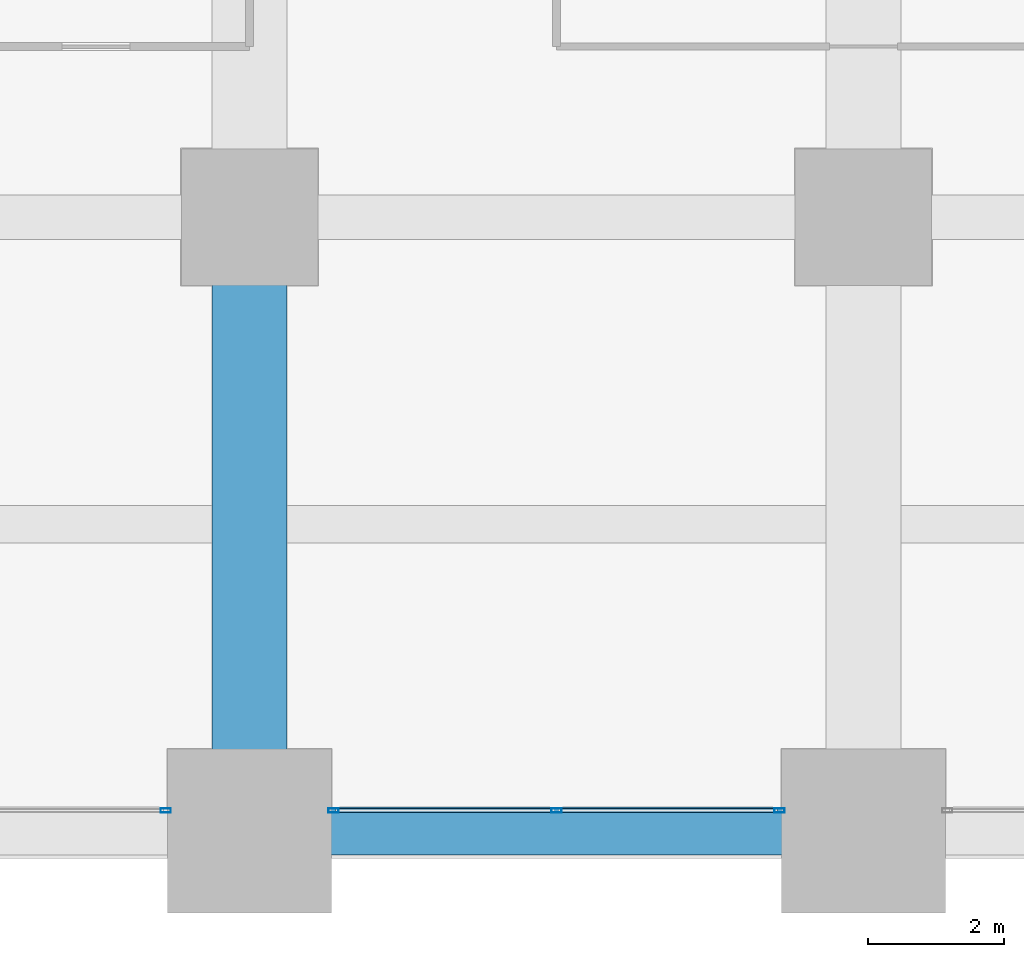
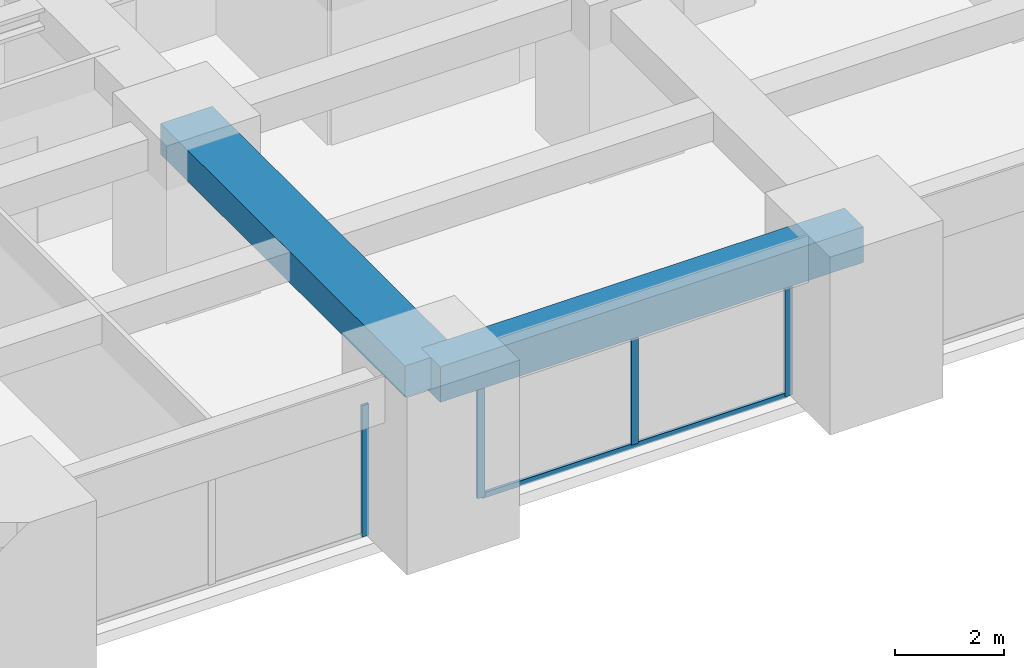
# One storey, part 13 of 41: 5 members, 2 beams, 2 elements without a shape of their own.
"""IFC4 building model written with IfcOpenShell, lengths in metres."""

import ifcopenshell
import ifcopenshell.guid

model = None  # the IFC model being written
_history = None  # IfcOwnerHistory: only IFC2X3 demands one
_inside = {}  # id of a spatial element -> (the spatial element, [elements in it])
_under = {}  # id of a project, library or spatial element -> (it, [spatial elements below it])
_declared = {}  # id of a project -> (the project, [libraries it declares])
_typed = {}  # id of a type object -> (the type object, [elements of that type])
_made_of = {}  # id of a material, layer set ... -> (it, [elements and type objects made of it])


def new_model(schema):
    """Start an empty IFC model of exactly this schema.

    Asked for "IFC4X3", IfcOpenShell would pick the latest addendum, in which some entities
    have other attributes; the version numbers below select the first issue.
    IFC2X3 requires an IfcOwnerHistory on every rooted entity: one is made here for all.
    """
    global model, _history
    if schema == "IFC4X3":
        model = ifcopenshell.file(schema_version=(4, 3, 0, 0))
    else:
        model = ifcopenshell.file(schema=schema)
    _inside.clear()
    _under.clear()
    _declared.clear()
    _typed.clear()
    _made_of.clear()
    _history = None
    if model.schema == "IFC2X3":
        org = make("IfcOrganization", Name="unknown")
        user = make(
            "IfcPersonAndOrganization",
            ThePerson=make("IfcPerson", FamilyName="unknown"),
            TheOrganization=org,
        )
        app = make(
            "IfcApplication",
            ApplicationDeveloper=org,
            Version="unknown",
            ApplicationFullName="unknown",
            ApplicationIdentifier="unknown",
        )
        _history = make(
            "IfcOwnerHistory",
            OwningUser=user,
            OwningApplication=app,
            ChangeAction="ADDED",
            CreationDate=0,
        )
    return model


def make(cls, **values):
    """One entity of the class cls with the attributes given. An attribute that is None is left unset."""
    return model.create_entity(
        cls, **{name: value for name, value in values.items() if value is not None}
    )


def rooted(cls, **values):
    """An entity with a GlobalId (a new one), such as an element, a storey or a relation."""
    return make(cls, GlobalId=ifcopenshell.guid.new(), OwnerHistory=_history, **values)


def si_unit(unit_type, name, prefix=None):
    """IfcSIUnit, for example si_unit("LENGTHUNIT", "METRE", prefix="MILLI")."""
    return make("IfcSIUnit", UnitType=unit_type, Prefix=prefix, Name=name)


def assignment(units):
    """IfcUnitAssignment: the units of a project."""
    return None if units is None else make("IfcUnitAssignment", Units=units)


def point(xyz):
    """IfcCartesianPoint."""
    return None if xyz is None else make("IfcCartesianPoint", Coordinates=xyz)


def direction(xyz):
    """IfcDirection."""
    return None if xyz is None else make("IfcDirection", DirectionRatios=xyz)


def frame(location, z_axis=None, x_axis=None):
    """IfcAxis2Placement3D, a coordinate frame: its origin and axes. An axis left out is left unset."""
    return make(
        "IfcAxis2Placement3D",
        Location=point(location),
        Axis=direction(z_axis),
        RefDirection=direction(x_axis),
    )


def frame_2d(location, x_axis=None):
    """IfcAxis2Placement2D, a coordinate frame in the plane: its origin and x axis."""
    return make(
        "IfcAxis2Placement2D", Location=point(location), RefDirection=direction(x_axis)
    )


def origin():
    """The frame at (0, 0, 0) with its axes left unset."""
    return frame((0.0, 0.0, 0.0))


def origin_2d():
    """The frame at (0, 0) in the plane with its x axis left unset."""
    return frame_2d((0.0, 0.0))


def place(relative_to, where):
    """IfcLocalPlacement: puts the frame where relative to a parent placement (None: the world)."""
    return make(
        "IfcLocalPlacement", PlacementRelTo=relative_to, RelativePlacement=where
    )


def context(
    kind, dimensions, precision=None, world=None, true_north=None, identifier=None
):
    """IfcGeometricRepresentationContext, for example the 3D "Model" context."""
    return make(
        "IfcGeometricRepresentationContext",
        ContextIdentifier=identifier,
        ContextType=kind,
        CoordinateSpaceDimension=dimensions,
        Precision=precision,
        WorldCoordinateSystem=world,
        TrueNorth=true_north,
    )


def subcontext(parent, identifier, kind, view, scale=None):
    """IfcGeometricRepresentationSubContext, for example "Body" below "Model"."""
    return make(
        "IfcGeometricRepresentationSubContext",
        ContextIdentifier=identifier,
        ContextType=kind,
        ParentContext=parent,
        TargetScale=scale,
        TargetView=view,
    )


def project(units=None, contexts=None):
    """IfcProject with its units and contexts."""
    return rooted(
        "IfcProject",
        Name="project",
        RepresentationContexts=contexts,
        UnitsInContext=assignment(units),
    )


def spatial(cls, under=None, at=None, **own):
    """A site, building, storey or space (cls), placed at a placement, below another one or the project."""
    s = rooted(cls, ObjectPlacement=at, **own)
    if under is not None:
        _under.setdefault(under.id(), (under, []))[1].append(s)
    return s


def profile(cls, at=None, kind="AREA", **sizes):
    """A parametric profile (cls). Its sizes go by their IFC names, for example OverallWidth=200.0."""
    return make(cls, ProfileType=kind, Position=at, **sizes)


def rectangle(**sizes):
    """IfcRectangleProfileDef."""
    return profile("IfcRectangleProfileDef", **sizes)


def hollow_rectangle(**sizes):
    """IfcRectangleHollowProfileDef."""
    return profile("IfcRectangleHollowProfileDef", **sizes)


def extrude(swept, where, along, depth):
    """IfcExtrudedAreaSolid: the profile swept, set in the frame where, extruded along a direction by depth."""
    return make(
        "IfcExtrudedAreaSolid",
        SweptArea=swept,
        Position=where,
        ExtrudedDirection=direction(along),
        Depth=depth,
    )


def shape(context_of_items, identifier, shape_type, items):
    """IfcShapeRepresentation: the items that make up one representation, for example the "Body"."""
    return make(
        "IfcShapeRepresentation",
        ContextOfItems=context_of_items,
        RepresentationIdentifier=identifier,
        RepresentationType=shape_type,
        Items=items,
    )


def material(Name=None, Category=None):
    """IfcMaterial."""
    return make("IfcMaterial", Name=Name, Category=Category)


def material_profile(
    of_material, cross_section, Name=None, Category=None, Priority=None
):
    """IfcMaterialProfile: a cross section and its material."""
    return make(
        "IfcMaterialProfile",
        Name=Name,
        Material=of_material,
        Profile=cross_section,
        Priority=Priority,
        Category=Category,
    )


def profile_set(profiles, Name=None, composite=None):
    """IfcMaterialProfileSet."""
    return make(
        "IfcMaterialProfileSet",
        Name=Name,
        MaterialProfiles=profiles,
        CompositeProfile=composite,
    )


def made_of(thing, what):
    """Note that an element or type object is made of a material, layer set ...; save() writes the relation."""
    if what is not None:
        _made_of.setdefault(what.id(), (what, []))[1].append(thing)
    return thing


def type_object(cls, material=None, **own):
    """A type object (cls), such as IfcWallType, which elements share."""
    return made_of(rooted(cls, **own), material)


def element(
    cls,
    number,
    at=None,
    inside=None,
    cuts=None,
    type_object=None,
    material=None,
    context=None,
    identifier="Body",
    shape_type=None,
    held_by="IfcProductDefinitionShape",
    body=None,
    shapes=None,
    **own,
):
    """One element of the class cls, such as IfcWall. Its Tag is "e" and its number.

    at: its placement. inside: the storey or other place that contains it. cuts: it is an
    opening in that element (IfcRelVoidsElement). A single representation is given by context,
    identifier, shape_type and body (its items); several are given by shapes. held_by: the class
    of the entity that holds the representations. save() writes the other relations.
    """
    e = rooted(cls, Tag="e%d" % number, ObjectPlacement=at, **own)
    if body is not None:
        shapes = [shape(context, identifier, shape_type, body)]
    if shapes is not None:
        e.Representation = make(held_by, Representations=shapes)
    if inside is not None:
        _inside.setdefault(inside.id(), (inside, []))[1].append(e)
    if cuts is not None:
        rooted(
            "IfcRelVoidsElement", RelatingBuildingElement=cuts, RelatedOpeningElement=e
        )
    if type_object is not None:
        _typed.setdefault(type_object.id(), (type_object, []))[1].append(e)
    return made_of(e, material)


def aggregate(whole, parts):
    """IfcRelAggregates: a whole, such as a stair, and the parts it consists of."""
    return rooted("IfcRelAggregates", RelatingObject=whole, RelatedObjects=parts)


def save(model, path):
    """Write the relations noted so far, then the file.

    IfcRelAggregates (storeys below a building ...), IfcRelContainedInSpatialStructure (elements
    in a storey), IfcRelDefinesByType, IfcRelAssociatesMaterial and IfcRelDeclares: one each for
    every whole, place, type object, material and project.
    """
    for whole, parts in _under.values():
        aggregate(whole, parts)
    for where, things in _inside.values():
        rooted(
            "IfcRelContainedInSpatialStructure",
            RelatedElements=things,
            RelatingStructure=where,
        )
    for kind, things in _typed.values():
        rooted("IfcRelDefinesByType", RelatedObjects=things, RelatingType=kind)
    for what, things in _made_of.values():
        rooted("IfcRelAssociatesMaterial", RelatedObjects=things, RelatingMaterial=what)
    for by, libraries in _declared.values():
        rooted("IfcRelDeclares", RelatingContext=by, RelatedDefinitions=libraries)
    model.write(path)


model = new_model("IFC4")

# Units and contexts
model_context = context("Model", 3, precision=1e-05, world=origin(), true_north=direction((0.0, 1.0)))
body_context = subcontext(model_context, "Body", "Model", "MODEL_VIEW")
ifc_project = project(units=[si_unit("LENGTHUNIT", "METRE"), si_unit("AREAUNIT", "SQUARE_METRE"), si_unit("VOLUMEUNIT", "CUBIC_METRE"), si_unit("PLANEANGLEUNIT", "RADIAN"), si_unit("MASSUNIT", "GRAM", prefix="KILO")], contexts=[model_context])

# Site, building, storey
site_placement = place(None, origin())
site = spatial("IfcSite", under=ifc_project, at=site_placement, CompositionType="ELEMENT")
building_placement = place(site_placement, origin())
building = spatial("IfcBuilding", under=site, at=building_placement, Name="Zorevar Civic Tower", CompositionType="ELEMENT")
storey_placement = place(building_placement, frame((0.0, 0.0, 113.0)))
storey = spatial("IfcBuildingStorey", under=building, at=storey_placement, Name="L27", CompositionType="ELEMENT", Elevation=113.0)

# Beam
ifc_material_1 = material(Name="Concrete C50/60", Category="concrete")
ifc_material_profile_1 = material_profile(ifc_material_1, rectangle(XDim=1.10009765625, YDim=0.699951171875, at=origin_2d()), Name="RC 1100x700")
ifc_profile_set_1 = profile_set([ifc_material_profile_1], Name="Concrete C50/60")
beam_type_1 = type_object("IfcBeamType", Name="Beam RC 1100x700", PredefinedType="BEAM", material=ifc_profile_set_1)
beam_1_placement = place(storey_placement, frame((36.0, 0.0, 3.39990234375), z_axis=(0.0, 1.0, 0.0), x_axis=(-1.0, 0.0, 0.0)))
element("IfcBeam", 1, at=beam_1_placement, inside=storey, type_object=beam_type_1, Name="Girder L28", PredefinedType="BEAM", context=body_context, shape_type="SweptSolid", body=[
    extrude(rectangle(XDim=1.10009765625, YDim=0.699951171875, at=origin_2d()), origin(), (0.0, 0.0, 1.0), 9.0),
])

# Curtain wall, member
ifc_material_2 = material(Name="Dark grey solar-control glass in black aluminium frame", Category="aluminium")
curtain_wall_type = type_object("IfcCurtainWallType", Name="Curtain wall CW3 mid zone", PredefinedType="NOTDEFINED", material=ifc_material_2)
curtain_wall_1_placement = place(storey_placement, origin())
curtain_wall_1 = element("IfcCurtainWall", 2, at=curtain_wall_1_placement, inside=storey, type_object=curtain_wall_type, Name="CW3 L27", PredefinedType="NOTDEFINED")
ifc_material_3 = material(Name="Aluminium, black anodised", Category="aluminium")
ifc_material_profile_2 = material_profile(ifc_material_3, hollow_rectangle(XDim=0.06005859375, YDim=0.14990234375, WallThickness=0.00390625, at=origin_2d()), Name="AL 150x60x4")
ifc_profile_set_2 = profile_set([ifc_material_profile_2], Name="Aluminium, black anodised")
member_type_1 = type_object("IfcMemberType", Name="CW3 mullion AL 150x60x4", PredefinedType="MULLION", material=ifc_profile_set_2)
member_1_placement = place(storey_placement, frame((34.77001953125, 0.300048828125, 0.0), z_axis=(0.0, 0.0, 1.0), x_axis=(0.0, 1.0, 0.0)))
member_1 = element("IfcMember", 3, at=member_1_placement, type_object=member_type_1, Name="CW3 mullion 3", PredefinedType="MULLION", context=body_context, shape_type="SweptSolid", body=[
    extrude(hollow_rectangle(XDim=0.06005859375, YDim=0.14990234375, WallThickness=0.00390625, at=origin_2d()), origin(), (0.0, 0.0, 1.0), 2.949951171875),
])
aggregate(curtain_wall_1, [member_1])

# Curtain wall, members
curtain_wall_2_placement = place(storey_placement, origin())
curtain_wall_2 = element("IfcCurtainWall", 4, at=curtain_wall_2_placement, inside=storey, type_object=curtain_wall_type, Name="CW3 L27", PredefinedType="NOTDEFINED")
member_2_placement = place(storey_placement, frame((37.22998046875, 0.300048828125, 0.0), z_axis=(0.0, 0.0, 1.0), x_axis=(0.0, 1.0, 0.0)))
member_2 = element("IfcMember", 5, at=member_2_placement, type_object=member_type_1, Name="CW3 mullion 1", PredefinedType="MULLION", context=body_context, shape_type="SweptSolid", body=[
    extrude(hollow_rectangle(XDim=0.06005859375, YDim=0.14990234375, WallThickness=0.00390625, at=origin_2d()), origin(), (0.0, 0.0, 1.0), 2.949951171875),
])
member_3_placement = place(storey_placement, frame((40.5, 0.300048828125, 0.06005859375), z_axis=(0.0, 0.0, 1.0), x_axis=(0.0, 1.0, 0.0)))
member_3 = element("IfcMember", 6, at=member_3_placement, type_object=member_type_1, Name="CW3 mullion 2", PredefinedType="MULLION", context=body_context, shape_type="SweptSolid", body=[
    extrude(hollow_rectangle(XDim=0.06005859375, YDim=0.14990234375, WallThickness=0.00390625, at=origin_2d()), origin(), (0.0, 0.0, 1.0), 2.889892578125),
])
member_4_placement = place(storey_placement, frame((43.77001953125, 0.300048828125, 0.0), z_axis=(0.0, 0.0, 1.0), x_axis=(0.0, 1.0, 0.0)))
member_4 = element("IfcMember", 7, at=member_4_placement, type_object=member_type_1, Name="CW3 mullion 3", PredefinedType="MULLION", context=body_context, shape_type="SweptSolid", body=[
    extrude(hollow_rectangle(XDim=0.06005859375, YDim=0.14990234375, WallThickness=0.00390625, at=origin_2d()), origin(), (0.0, 0.0, 1.0), 2.949951171875),
])
ifc_material_4 = material(Name="Aluminium, black anodised", Category="aluminium")
ifc_material_profile_3 = material_profile(ifc_material_4, hollow_rectangle(XDim=0.06005859375, YDim=0.1201171875, WallThickness=0.0029296875, at=origin_2d()), Name="AL 120x60x3")
ifc_profile_set_3 = profile_set([ifc_material_profile_3], Name="Aluminium, black anodised")
member_type_2 = type_object("IfcMemberType", Name="CW3 transom AL 120x60x3", PredefinedType="USERDEFINED", material=ifc_profile_set_3)
member_5_placement = place(storey_placement, frame((37.260009765625, 0.300048828125, 0.030029296875), z_axis=(1.0, 0.0, 0.0), x_axis=(0.0, 1.0, 0.0)))
member_5 = element("IfcMember", 8, at=member_5_placement, type_object=member_type_2, Name="CW3 sill transom", ObjectType="TRANSOM", PredefinedType="USERDEFINED", context=body_context, shape_type="SweptSolid", body=[
    extrude(hollow_rectangle(XDim=0.06005859375, YDim=0.1201171875, WallThickness=0.0029296875, at=origin_2d()), origin(), (0.0, 0.0, 1.0), 6.47998046875),
])
aggregate(curtain_wall_2, [member_2, member_3, member_4, member_5])

# Beam
ifc_material_5 = material(Name="Concrete C50/60", Category="concrete")
ifc_material_profile_4 = material_profile(ifc_material_5, rectangle(XDim=0.699951171875, YDim=0.800048828125, at=origin_2d()), Name="RC 700x800")
ifc_profile_set_4 = profile_set([ifc_material_profile_4], Name="Concrete C50/60")
beam_type_2 = type_object("IfcBeamType", Name="Edge beam RC 700x800", PredefinedType="SPANDREL", material=ifc_profile_set_4)
beam_2_placement = place(storey_placement, frame((36.0, 0.0, 3.35009765625), z_axis=(1.0, 0.0, 0.0), x_axis=(0.0, 1.0, 0.0)))
element("IfcBeam", 9, at=beam_2_placement, inside=storey, type_object=beam_type_2, Name="Edge beam L28", PredefinedType="SPANDREL", context=body_context, shape_type="SweptSolid", body=[
    extrude(rectangle(XDim=0.699951171875, YDim=0.800048828125, at=origin_2d()), origin(), (0.0, 0.0, 1.0), 9.0),
])

save(model, "model.ifc")
